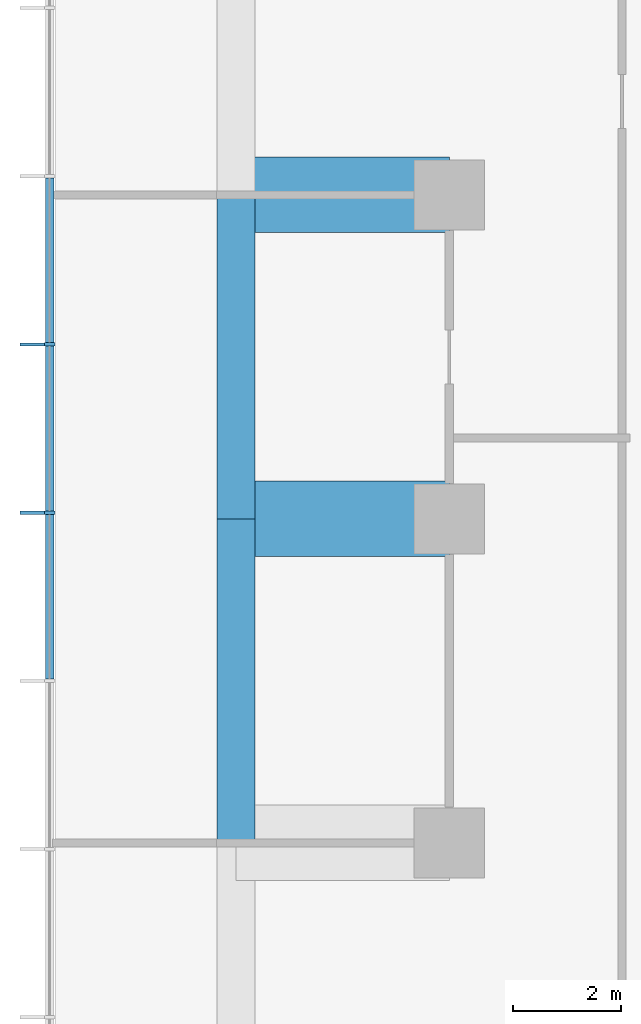
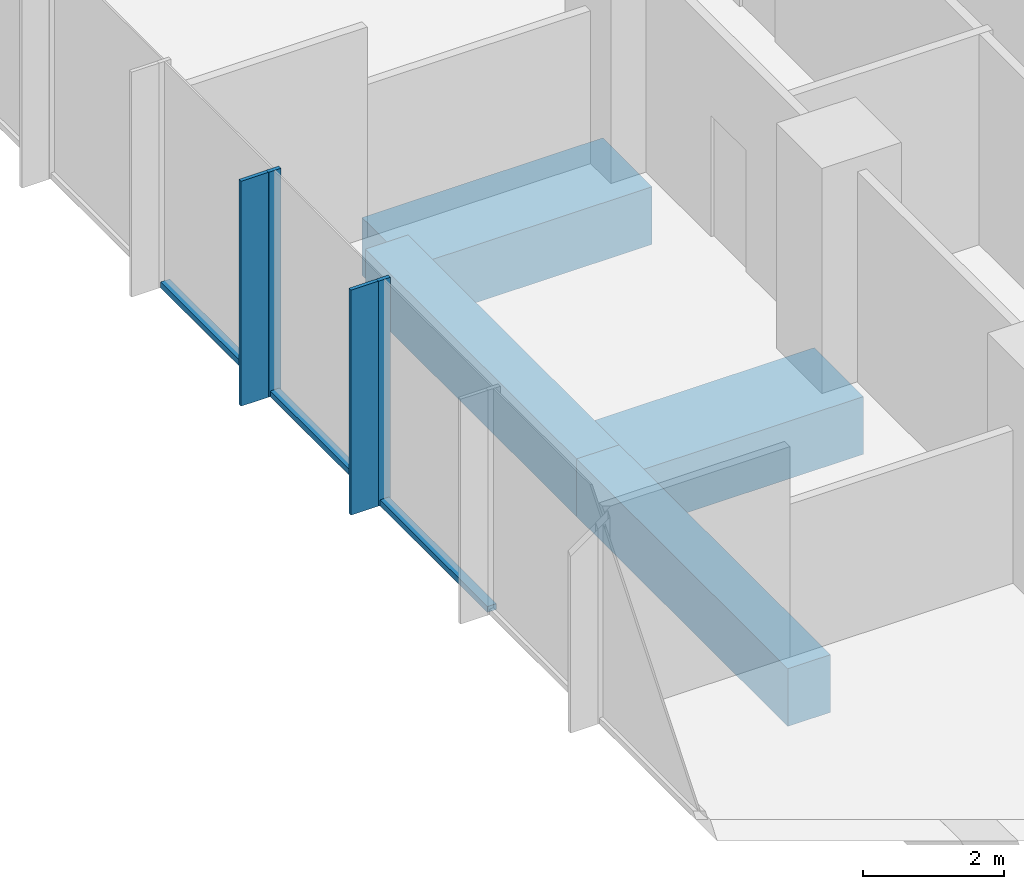
# One storey, part 3 of 11: 7 members, 4 beams, 1 element without a shape of its own.
"""IFC4 building model written with IfcOpenShell, lengths in metres."""

from ifc_helpers import new_model, si_unit, direction, frame, origin, origin_2d, place, context, subcontext, project, spatial, rectangle, extrude, material, layer, layer_set, material_profile, profile_set, type_object, element, aggregate, save


model = new_model("IFC4")

# Units and contexts
model_context = context("Model", 3, precision=1e-05, world=origin(), true_north=direction((0.0, 1.0)))
body_context = subcontext(model_context, "Body", "Model", "MODEL_VIEW")
ifc_project = project(units=[si_unit("LENGTHUNIT", "METRE"), si_unit("AREAUNIT", "SQUARE_METRE"), si_unit("VOLUMEUNIT", "CUBIC_METRE"), si_unit("PLANEANGLEUNIT", "RADIAN"), si_unit("MASSUNIT", "GRAM", prefix="KILO")], contexts=[model_context])

# Site, building, storey
site_placement = place(None, origin())
site = spatial("IfcSite", under=ifc_project, at=site_placement, CompositionType="ELEMENT")
building_placement = place(site_placement, origin())
building = spatial("IfcBuilding", under=site, at=building_placement, Name="Highveld Stack Headquarters", CompositionType="ELEMENT")
storey_placement = place(building_placement, frame((0.0, 0.0, 212.300048828125)))
storey = spatial("IfcBuildingStorey", under=building, at=storey_placement, Name="L52", CompositionType="ELEMENT", Elevation=212.300048828125)

# Beams
ifc_material_1 = material(Name="Concrete C60/75", Category="concrete")
ifc_material_profile_1 = material_profile(ifc_material_1, rectangle(XDim=1.39990234375, YDim=1.0, at=origin_2d()), Name="RC 1400x1000")
ifc_profile_set_1 = profile_set([ifc_material_profile_1], Name="Concrete C60/75")
beam_type_1 = type_object("IfcBeamType", Name="CANTILEVER RIB RC 1400x1000", PredefinedType="USERDEFINED", material=ifc_profile_set_1)
for number, where, z_axis, x_axis, name in (
    (1, (-12.0, 6.0, -0.75), (-1.0, 0.0, 0.0), (0.0, -1.0, 0.0), "Cantilever rib 4/F L52"),
    (2, (-12.0, 12.0, -0.75), (-1.0, 0.0, 0.0), (0.0, -1.0, 0.0), "Cantilever rib 4/G L52"),
):
    element("IfcBeam", number, at=place(storey_placement, frame(where, z_axis=z_axis, x_axis=x_axis)), inside=storey, type_object=beam_type_1, Name=name, ObjectType="CANTILEVER RIB", PredefinedType="USERDEFINED", context=body_context, shape_type="SweptSolid", body=[
        extrude(rectangle(XDim=1.39990234375, YDim=1.0, at=origin_2d()), origin(), (0.0, 0.0, 1.0), 3.949951171875),
    ])

# Curtain wall, members
ifc_material_2 = material(Name="Aluminium bronze anodised", Category="aluminium")
ifc_layer = layer(ifc_material_2, 0.199951171875)
ifc_layer_set = layer_set([ifc_layer], Name="Aluminium bronze anodised")
curtain_wall_type = type_object("IfcCurtainWallType", Name="CW1 TOWER UNITISED CURTAIN WALL", PredefinedType="NOTDEFINED", material=ifc_layer_set)
curtain_wall_placement = place(storey_placement, origin())
curtain_wall = element("IfcCurtainWall", 3, at=curtain_wall_placement, inside=storey, type_object=curtain_wall_type, Name="Curtain wall CW1 L52 W", PredefinedType="NOTDEFINED")
ifc_material_3 = material(Name="Aluminium bronze anodised", Category="aluminium")
ifc_material_profile_2 = material_profile(ifc_material_3, rectangle(XDim=0.449951171875, YDim=0.06005859375, at=origin_2d()), Name="FIN 450x60")
ifc_profile_set_2 = profile_set([ifc_material_profile_2], Name="Aluminium bronze anodised")
member_type_1 = type_object("IfcMemberType", Name="CW1 BRONZE FIN 450x60", PredefinedType="USERDEFINED", material=ifc_profile_set_2)
member_1_placement = place(storey_placement, frame((-19.72509765625, 9.23193359375, 0.0), z_axis=(0.0, 0.0, 1.0), x_axis=(1.0, 0.0, 0.0)))
member_1 = element("IfcMember", 4, at=member_1_placement, type_object=member_type_1, Name="CW1 fin L52 4", ObjectType="FIN", PredefinedType="USERDEFINED", context=body_context, shape_type="SweptSolid", body=[
    extrude(rectangle(XDim=0.449951171875, YDim=0.06005859375, at=origin_2d()), origin(), (0.0, 0.0, 1.0), 3.89990234375),
])
member_2_placement = place(storey_placement, frame((-19.72509765625, 6.115966796875, 0.0), z_axis=(0.0, 0.0, 1.0), x_axis=(1.0, 0.0, 0.0)))
member_2 = element("IfcMember", 5, at=member_2_placement, type_object=member_type_1, Name="CW1 fin L52 5", ObjectType="FIN", PredefinedType="USERDEFINED", context=body_context, shape_type="SweptSolid", body=[
    extrude(rectangle(XDim=0.449951171875, YDim=0.06005859375, at=origin_2d()), origin(), (0.0, 0.0, 1.0), 3.89990234375),
])
ifc_material_4 = material(Name="Aluminium bronze anodised", Category="aluminium")
ifc_material_profile_3 = material_profile(ifc_material_4, rectangle(XDim=0.199951171875, YDim=0.06494140625, at=origin_2d()), Name="CW1 MULLION 65x200")
ifc_profile_set_3 = profile_set([ifc_material_profile_3], Name="Aluminium bronze anodised")
member_type_2 = type_object("IfcMemberType", Name="CW1 MULLION 65x200", PredefinedType="MULLION", material=ifc_profile_set_3)
member_3_placement = place(storey_placement, frame((-19.39990234375, 9.23193359375, 0.0), z_axis=(0.0, 0.0, 1.0), x_axis=(1.0, 0.0, 0.0)))
member_3 = element("IfcMember", 6, at=member_3_placement, type_object=member_type_2, Name="CW1 mullion L52 4", PredefinedType="MULLION", context=body_context, shape_type="SweptSolid", body=[
    extrude(rectangle(XDim=0.199951171875, YDim=0.06494140625, at=origin_2d()), origin(), (0.0, 0.0, 1.0), 3.89990234375),
])
member_4_placement = place(storey_placement, frame((-19.39990234375, 6.115966796875, 0.0), z_axis=(0.0, 0.0, 1.0), x_axis=(1.0, 0.0, 0.0)))
member_4 = element("IfcMember", 7, at=member_4_placement, type_object=member_type_2, Name="CW1 mullion L52 5", PredefinedType="MULLION", context=body_context, shape_type="SweptSolid", body=[
    extrude(rectangle(XDim=0.199951171875, YDim=0.06494140625, at=origin_2d()), origin(), (0.0, 0.0, 1.0), 3.89990234375),
])
ifc_material_5 = material(Name="Aluminium bronze anodised", Category="aluminium")
ifc_material_profile_4 = material_profile(ifc_material_5, rectangle(XDim=0.14990234375, YDim=0.10009765625, at=origin_2d()), Name="CW1 TRANSOM 150x100")
ifc_profile_set_4 = profile_set([ifc_material_profile_4], Name="Aluminium bronze anodised")
member_type_3 = type_object("IfcMemberType", Name="CW1 STACK TRANSOM 150x100", PredefinedType="USERDEFINED", material=ifc_profile_set_4)
member_5_placement = place(storey_placement, frame((-19.39990234375, 12.3154296875, 0.050048828125), z_axis=(0.0, -1.0, 0.0), x_axis=(1.0, 0.0, 0.0)))
member_5 = element("IfcMember", 8, at=member_5_placement, type_object=member_type_3, Name="CW1 transom L52 3.1", ObjectType="TRANSOM", PredefinedType="USERDEFINED", context=body_context, shape_type="SweptSolid", body=[
    extrude(rectangle(XDim=0.14990234375, YDim=0.10009765625, at=origin_2d()), origin(), (0.0, 0.0, 1.0), 3.051025390625),
])
member_6_placement = place(storey_placement, frame((-19.39990234375, 9.199462890625, 0.050048828125), z_axis=(0.0, -1.0, 0.0), x_axis=(1.0, 0.0, 0.0)))
member_6 = element("IfcMember", 9, at=member_6_placement, type_object=member_type_3, Name="CW1 transom L52 4.1", ObjectType="TRANSOM", PredefinedType="USERDEFINED", context=body_context, shape_type="SweptSolid", body=[
    extrude(rectangle(XDim=0.14990234375, YDim=0.10009765625, at=origin_2d()), origin(), (0.0, 0.0, 1.0), 3.051025390625),
])
member_7_placement = place(storey_placement, frame((-19.39990234375, 6.08349609375, 0.050048828125), z_axis=(0.0, -1.0, 0.0), x_axis=(1.0, 0.0, 0.0)))
member_7 = element("IfcMember", 10, at=member_7_placement, type_object=member_type_3, Name="CW1 transom L52 5.1", ObjectType="TRANSOM", PredefinedType="USERDEFINED", context=body_context, shape_type="SweptSolid", body=[
    extrude(rectangle(XDim=0.14990234375, YDim=0.10009765625, at=origin_2d()), origin(), (0.0, 0.0, 1.0), 3.051025390625),
])
aggregate(curtain_wall, [member_3, member_1, member_4, member_2, member_5, member_6, member_7])

# Beams
ifc_material_6 = material(Name="Concrete C60/75", Category="concrete")
ifc_material_profile_5 = material_profile(ifc_material_6, rectangle(XDim=0.699951171875, YDim=1.0, at=origin_2d()), Name="RC 700x1000")
ifc_profile_set_5 = profile_set([ifc_material_profile_5], Name="Concrete C60/75")
beam_type_2 = type_object("IfcBeamType", Name="RIB TIP BEAM RC 700x1000", PredefinedType="SPANDREL", material=ifc_profile_set_5)
for number, where, z_axis, x_axis, name in (
    (11, (-15.949951171875, 0.0, -0.75), (0.0, 1.0, 0.0), (-1.0, 0.0, 0.0), "Rib tip beam 4/E to 4/F L52"),
    (12, (-15.949951171875, 6.0, -0.75), (0.0, 1.0, 0.0), (-1.0, 0.0, 0.0), "Rib tip beam 4/F to 4/G L52"),
):
    element("IfcBeam", number, at=place(storey_placement, frame(where, z_axis=z_axis, x_axis=x_axis)), inside=storey, type_object=beam_type_2, Name=name, PredefinedType="SPANDREL", context=body_context, shape_type="SweptSolid", body=[
        extrude(rectangle(XDim=0.699951171875, YDim=1.0, at=origin_2d()), origin(), (0.0, 0.0, 1.0), 6.0),
    ])

save(model, "model.ifc")
